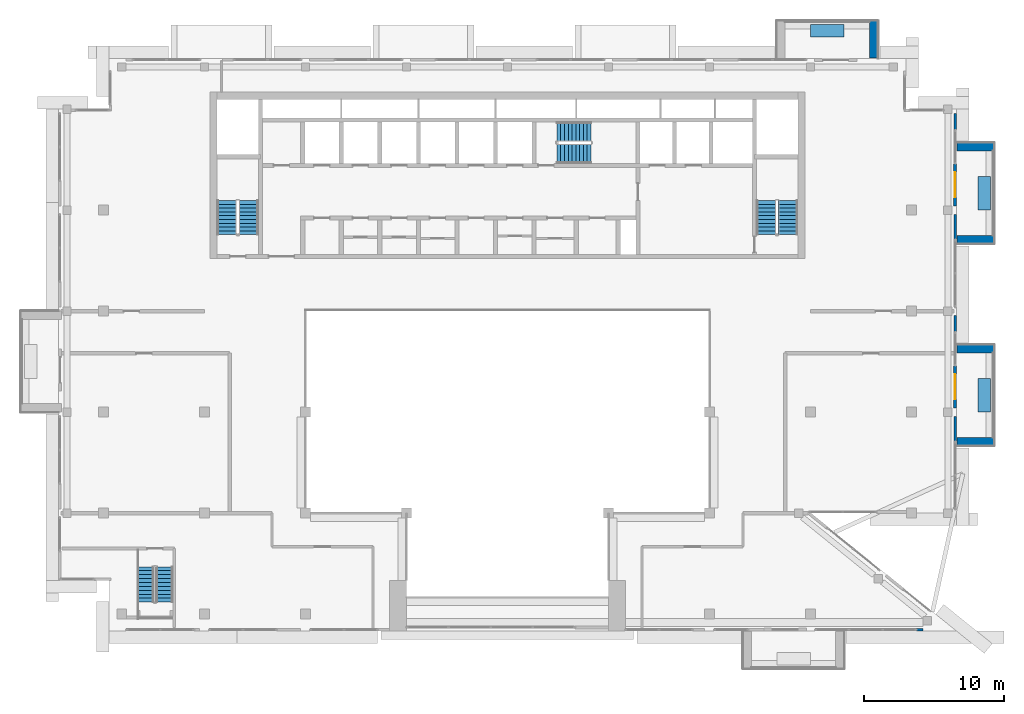
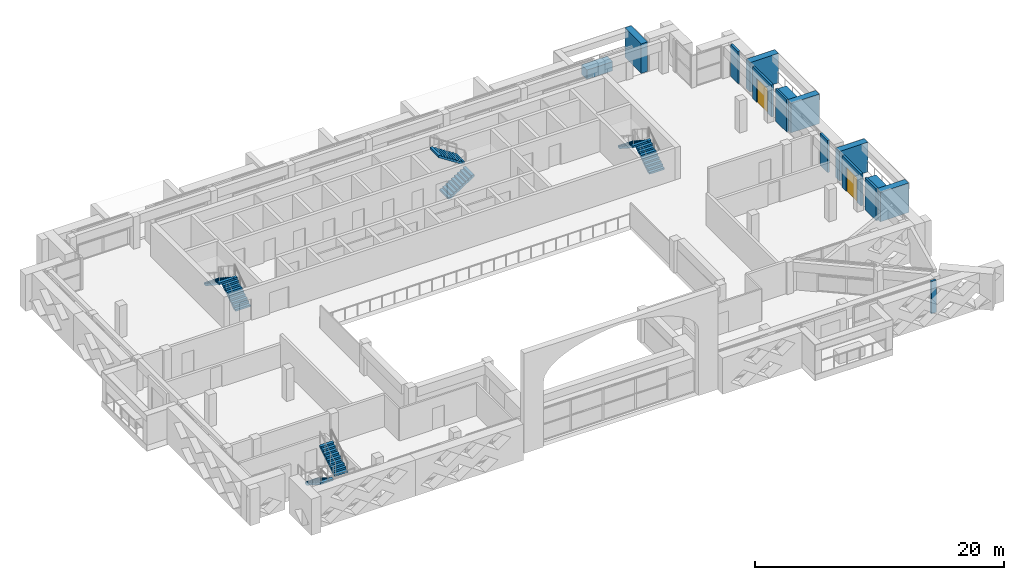
# One storey, part 15 of 22: 15 walls, 8 stair flights, 2 doors, 2 openings, 4 elements without a shape of their own.
"""IFC4 building model written with IfcOpenShell, lengths in metres."""

from ifc_helpers import new_model, si_unit, direction, frame, frame_2d, origin, place, context, subcontext, project, spatial, polyline, rectangle, outline, extrude, material, layer, layer_set, type_object, element, fill, aggregate, save


model = new_model("IFC4")

# Units and contexts
model_context = context("Model", 3, precision=1e-05, world=origin(), true_north=direction((0.0, 1.0)))
body_context = subcontext(model_context, "Body", "Model", "MODEL_VIEW")
ifc_project = project(units=[si_unit("LENGTHUNIT", "METRE"), si_unit("AREAUNIT", "SQUARE_METRE"), si_unit("VOLUMEUNIT", "CUBIC_METRE"), si_unit("PLANEANGLEUNIT", "RADIAN"), si_unit("MASSUNIT", "GRAM", prefix="KILO")], contexts=[model_context])

# Site, building, storey
site_placement = place(None, origin())
site = spatial("IfcSite", under=ifc_project, at=site_placement, CompositionType="ELEMENT")
building_placement = place(site_placement, origin())
building = spatial("IfcBuilding", under=site, at=building_placement, Name="Saffron Iwan Residences", CompositionType="ELEMENT")
storey_placement = place(building_placement, frame((0.0, 0.0, 271.0)))
storey = spatial("IfcBuildingStorey", under=building, at=storey_placement, Name="L73", CompositionType="ELEMENT", Elevation=271.0)

# Walls
ifc_material_1 = material(Name="Concrete C50/60 white painted", Category="concrete")
ifc_layer_1 = layer(ifc_material_1, 0.60009765625)
ifc_layer_set_1 = layer_set([ifc_layer_1], Name="Concrete C50/60 white painted")
wall_type_1 = type_object("IfcWallType", Name="BALCONY FIN 600", PredefinedType="SOLIDWALL", material=ifc_layer_set_1)
for number, where, z_axis, x_axis, name in (
    (1, (82.449951171875, 53.10009765625, 0.0), (0.0, 0.0, 1.0), (1.0, 0.0, 0.0), "Balcony fin L73 F2-0a"),
    (2, (82.449951171875, 59.699951171875, 0.0), (0.0, 0.0, 1.0), (1.0, 0.0, 0.0), "Balcony fin L73 F2-0b"),
    (3, (82.449951171875, 67.5, 0.0), (0.0, 0.0, 1.0), (1.0, 0.0, 0.0), "Balcony fin L73 F2-1a"),
    (4, (82.449951171875, 74.10009765625, 0.0), (0.0, 0.0, 1.0), (1.0, 0.0, 0.0), "Balcony fin L73 F2-1b"),
    (5, (76.5, 80.449951171875, 0.0), (0.0, 0.0, 1.0), (0.0, 1.0, 0.0), "Balcony fin L73 F5-0a"),
):
    element("IfcWall", number, at=place(storey_placement, frame(where, z_axis=z_axis, x_axis=x_axis)), inside=storey, type_object=wall_type_1, Name=name, PredefinedType="SOLIDWALL", context=body_context, shape_type="SweptSolid", body=[
        extrude(rectangle(XDim=2.650146484375, YDim=0.60009765625, at=frame_2d((1.3251953125, 0.0))), origin(), (0.0, 0.0, 1.0), 2.90087890625),
    ])
ifc_material_2 = material(Name="Concrete C35/45 white painted", Category="concrete")
ifc_layer_2 = layer(ifc_material_2, 0.14990234375)
ifc_layer_set_2 = layer_set([ifc_layer_2], Name="Concrete C35/45 white painted")
wall_type_2 = type_object("IfcWallType", Name="BALCONY PLANTER", PredefinedType="SOLIDWALL", material=ifc_layer_set_2)
wall_1_placement = place(storey_placement, frame((84.375, 55.199951171875, 0.0), z_axis=(0.0, 0.0, 1.0), x_axis=(0.0, 1.0, 0.0)))
element("IfcWall", 6, at=wall_1_placement, inside=storey, type_object=wall_type_2, Name="PLANTER L73 F2-0", PredefinedType="SOLIDWALL", context=body_context, shape_type="SweptSolid", body=[
    extrude(rectangle(XDim=2.400146484375, YDim=0.89990234375, at=frame_2d((1.2001953125, 0.0))), origin(), (0.0, 0.0, 1.0), 0.89990234375),
])
for number, where, z_axis, x_axis, name in (
    (7, (84.375, 69.60009765625, 0.0), (0.0, 0.0, 1.0), (0.0, 1.0, 0.0), "PLANTER L73 F2-1"),
    (8, (74.39990234375, 82.375, 0.0), (0.0, 0.0, 1.0), (-1.0, 0.0, 0.0), "PLANTER L73 F5-0"),
):
    element("IfcWall", number, at=place(storey_placement, frame(where, z_axis=z_axis, x_axis=x_axis)), inside=storey, type_object=wall_type_2, Name=name, PredefinedType="SOLIDWALL", context=body_context, shape_type="SweptSolid", body=[
        extrude(rectangle(XDim=2.39990234375, YDim=0.89990234375, at=frame_2d((1.199951171875, 0.0))), origin(), (0.0, 0.0, 1.0), 0.89990234375),
    ])

# Wall, opening, door
ifc_material_3 = material(Name="Concrete C40/50", Category="concrete")
ifc_layer_3 = layer(ifc_material_3, 0.199951171875)
ifc_layer_set_3 = layer_set([ifc_layer_3], Name="Concrete C40/50")
wall_type_3 = type_object("IfcWallType", Name="EXTERNAL WALL 200", PredefinedType="SOLIDWALL", material=ifc_layer_set_3)
wall_2_placement = place(storey_placement, frame((82.300048828125, 55.5, 0.0), z_axis=(0.0, 0.0, 1.0), x_axis=(0.0, 1.0, 0.0)))
wall_2 = element("IfcWall", 9, at=wall_2_placement, inside=storey, type_object=wall_type_3, Name="External wall L73 F2.D0", PredefinedType="SOLIDWALL", context=body_context, shape_type="SweptSolid", body=[
    extrude(rectangle(XDim=3.0, YDim=0.199951171875, at=frame_2d((1.5, 0.0))), origin(), (0.0, 0.0, 1.0), 3.14990234375),
])
opening_1_placement = place(wall_2_placement, frame((0.60009765625, 0.0, 0.0)))
opening_1 = element("IfcOpeningElement", 10, at=opening_1_placement, cuts=wall_2, Name="Opening BD1", PredefinedType="OPENING", context=body_context, shape_type="SweptSolid", body=[
    extrude(rectangle(XDim=1.800048828125, YDim=2.39990234375, at=frame_2d((0.89990234375, 1.199951171875))), frame((0.0, 0.10986328125, 0.0), z_axis=(0.0, -1.0, 0.0), x_axis=(1.0, 0.0, 0.0)), (0.0, 0.0, 1.0), 0.219970703125),
])
ifc_material_4 = material(Name="Clear glass, laminated double glazed", Category="glass")
door_type = type_object("IfcDoorType", Name="BALCONY DOOR 1800 x 2400", OperationType="DOUBLE_DOOR_SLIDING", PredefinedType="DOOR", material=ifc_material_4)
door_1_placement = place(opening_1_placement, origin())
door_1 = element("IfcDoor", 11, at=door_1_placement, inside=storey, type_object=door_type, Name="Terrace door L73 F2.0", OperationType="DOUBLE_DOOR_SLIDING", OverallHeight=2.39990234375, OverallWidth=1.800048828125, PredefinedType="DOOR", context=body_context, shape_type="SweptSolid", body=[
    extrude(rectangle(XDim=1.800048828125, YDim=2.39990234375, at=frame_2d((0.89990234375, 1.199951171875))), frame((0.0, 0.02490234375, 0.0), z_axis=(0.0, -1.0, 0.0), x_axis=(1.0, 0.0, 0.0)), (0.0, 0.0, 1.0), 0.050048828125),
])
fill(opening_1, door_1)

wall_3_placement = place(storey_placement, frame((82.300048828125, 69.89990234375, 0.0), z_axis=(0.0, 0.0, 1.0), x_axis=(0.0, 1.0, 0.0)))
wall_3 = element("IfcWall", 12, at=wall_3_placement, inside=storey, type_object=wall_type_3, Name="External wall L73 F2.D1", PredefinedType="SOLIDWALL", context=body_context, shape_type="SweptSolid", body=[
    extrude(rectangle(XDim=3.0, YDim=0.199951171875, at=frame_2d((1.5, 0.0))), origin(), (0.0, 0.0, 1.0), 3.14990234375),
])
opening_2_placement = place(wall_3_placement, frame((0.60009765625, 0.0, 0.0)))
opening_2 = element("IfcOpeningElement", 13, at=opening_2_placement, cuts=wall_3, Name="Opening BD1", PredefinedType="OPENING", context=body_context, shape_type="SweptSolid", body=[
    extrude(rectangle(XDim=1.800048828125, YDim=2.39990234375, at=frame_2d((0.89990234375, 1.199951171875))), frame((0.0, 0.10986328125, 0.0), z_axis=(0.0, -1.0, 0.0), x_axis=(1.0, 0.0, 0.0)), (0.0, 0.0, 1.0), 0.219970703125),
])
door_2_placement = place(opening_2_placement, origin())
door_2 = element("IfcDoor", 14, at=door_2_placement, inside=storey, type_object=door_type, Name="Terrace door L73 F2.1", OperationType="DOUBLE_DOOR_SLIDING", OverallHeight=2.39990234375, OverallWidth=1.800048828125, PredefinedType="DOOR", context=body_context, shape_type="SweptSolid", body=[
    extrude(rectangle(XDim=1.800048828125, YDim=2.39990234375, at=frame_2d((0.89990234375, 1.199951171875))), frame((0.0, 0.02490234375, 0.0), z_axis=(0.0, -1.0, 0.0), x_axis=(1.0, 0.0, 0.0)), (0.0, 0.0, 1.0), 0.050048828125),
])
fill(opening_2, door_2)

# Walls
wall_4_placement = place(storey_placement, frame((82.320068359375, 53.10009765625, 0.0), z_axis=(0.0, 0.0, 1.0), x_axis=(0.0, 1.0, 0.0)))
element("IfcWall", 15, at=wall_4_placement, inside=storey, type_object=wall_type_3, Name="External wall infill CWE-L73-F2-0", PredefinedType="SOLIDWALL", context=body_context, shape_type="SweptSolid", body=[
    extrude(rectangle(XDim=1.7998046875, YDim=0.199951171875, at=frame_2d((0.89990234375, 0.0))), origin(), (0.0, 0.0, 1.0), 3.14990234375),
])
wall_5_placement = place(storey_placement, frame((82.320068359375, 60.89990234375, 0.0), z_axis=(0.0, 0.0, 1.0), x_axis=(0.0, 1.0, 0.0)))
element("IfcWall", 16, at=wall_5_placement, inside=storey, type_object=wall_type_3, Name="External wall infill CWE-L73-F2-1", PredefinedType="SOLIDWALL", context=body_context, shape_type="SweptSolid", body=[
    extrude(rectangle(XDim=1.2001953125, YDim=0.199951171875, at=frame_2d((0.60009765625, 0.0))), origin(), (0.0, 0.0, 1.0), 3.14990234375),
])
wall_6_placement = place(storey_placement, frame((82.320068359375, 67.5, 0.0), z_axis=(0.0, 0.0, 1.0), x_axis=(0.0, 1.0, 0.0)))
element("IfcWall", 17, at=wall_6_placement, inside=storey, type_object=wall_type_3, Name="External wall infill CWE-L73-F2-2", PredefinedType="SOLIDWALL", context=body_context, shape_type="SweptSolid", body=[
    extrude(rectangle(XDim=1.800048828125, YDim=0.199951171875, at=frame_2d((0.89990234375, 0.0))), origin(), (0.0, 0.0, 1.0), 3.14990234375),
])
wall_7_placement = place(storey_placement, frame((82.320068359375, 75.300048828125, 0.0), z_axis=(0.0, 0.0, 1.0), x_axis=(0.0, 1.0, 0.0)))
element("IfcWall", 18, at=wall_7_placement, inside=storey, type_object=wall_type_3, Name="External wall infill CWE-L73-F2-3", PredefinedType="SOLIDWALL", context=body_context, shape_type="SweptSolid", body=[
    extrude(rectangle(XDim=1.199951171875, YDim=0.199951171875, at=frame_2d((0.60009765625, 0.0))), origin(), (0.0, 0.0, 1.0), 3.14990234375),
])
wall_8_placement = place(storey_placement, frame((79.550048828125, 39.679931640625, 0.0), z_axis=(0.0, 0.0, 1.0), x_axis=(1.0, 0.0, 0.0)))
element("IfcWall", 19, at=wall_8_placement, inside=storey, type_object=wall_type_3, Name="External wall infill CWE-L73-F11-5", PredefinedType="SOLIDWALL", context=body_context, shape_type="SweptSolid", body=[
    extrude(rectangle(XDim=0.4755859375, YDim=0.199951171875, at=frame_2d((0.23779296875, 0.0))), origin(), (0.0, 0.0, 1.0), 3.14990234375),
])

# Stair, stair flights
stair_type_1 = type_object("IfcStairType", Name="Podium stair, reinforced concrete", PredefinedType="HALF_TURN_STAIR", material=ifc_material_3)
stair_1_placement = place(storey_placement, origin())
stair_1 = element("IfcStair", 20, at=stair_1_placement, inside=storey, type_object=stair_type_1, Name="L73 Crown Stair", PredefinedType="HALF_TURN_STAIR")
stair_flight_type_1 = type_object("IfcStairFlightType", Name="Podium stair flight, reinforced concrete", PredefinedType="STRAIGHT", material=ifc_material_3)
stair_flight_1_placement = place(storey_placement, frame((24.60009765625, 44.169921875, 0.0), z_axis=(0.0, 0.0, 1.0), x_axis=(0.0, -1.0, 0.0)))
stair_flight_1 = element("IfcStairFlight", 21, at=stair_flight_1_placement, type_object=stair_flight_type_1, Name="CS flight 1", NumberOfRisers=10, NumberOfTreads=9, PredefinedType="STRAIGHT", RiserHeight=0.175, TreadLength=0.28, context=body_context, shape_type="SweptSolid", body=[
    extrude(outline(polyline([(0.0, 0.0), (0.0, 0.175048828125), (0.280029296875, 0.175048828125), (0.280029296875, 0.35009765625), (0.56005859375, 0.35009765625), (0.56005859375, 0.52490234375), (0.840087890625, 0.52490234375), (0.840087890625, 0.699951171875), (1.1201171875, 0.699951171875), (1.1201171875, 0.875), (1.39990234375, 0.875), (1.39990234375, 1.050048828125), (1.679931640625, 1.050048828125), (1.679931640625, 1.22509765625), (1.9599609375, 1.22509765625), (1.9599609375, 1.39990234375), (2.239990234375, 1.39990234375), (2.239990234375, 1.574951171875), (2.52001953125, 1.574951171875), (2.52001953125, 1.75), (2.52001953125, 1.398193359375), (0.28271484375, 0.0), (0.0, 0.0)])), frame((0.0, 0.60009765625, 0.0), z_axis=(0.0, -1.0, 0.0), x_axis=(1.0, 0.0, 0.0)), (0.0, 0.0, 1.0), 1.199951171875),
])
stair_flight_2_placement = place(storey_placement, frame((25.949951171875, 41.64990234375, 1.75), z_axis=(0.0, 0.0, 1.0), x_axis=(0.0, 1.0, 0.0)))
stair_flight_2 = element("IfcStairFlight", 22, at=stair_flight_2_placement, type_object=stair_flight_type_1, Name="CS flight 2", NumberOfRisers=10, NumberOfTreads=9, PredefinedType="STRAIGHT", RiserHeight=0.175, TreadLength=0.28, context=body_context, shape_type="SweptSolid", body=[
    extrude(outline(polyline([(0.0, 0.0), (0.0, 0.175048828125), (0.280029296875, 0.175048828125), (0.280029296875, 0.35009765625), (0.56005859375, 0.35009765625), (0.56005859375, 0.52490234375), (0.840087890625, 0.52490234375), (0.840087890625, 0.699951171875), (1.1201171875, 0.699951171875), (1.1201171875, 0.875), (1.39990234375, 0.875), (1.39990234375, 1.050048828125), (1.679931640625, 1.050048828125), (1.679931640625, 1.22509765625), (1.9599609375, 1.22509765625), (1.9599609375, 1.39990234375), (2.239990234375, 1.39990234375), (2.239990234375, 1.574951171875), (2.52001953125, 1.574951171875), (2.52001953125, 1.75), (2.52001953125, 1.398193359375), (0.28271484375, 0.0), (0.0, 0.0)])), frame((0.0, 0.60009765625, 0.0), z_axis=(0.0, -1.0, 0.0), x_axis=(1.0, 0.0, 0.0)), (0.0, 0.0, 1.0), 1.199951171875),
])
aggregate(stair_1, [stair_flight_1, stair_flight_2])

ifc_material_5 = material(Name="Concrete C50/60", Category="concrete")
stair_type_2 = type_object("IfcStairType", Name="Stair ST-CORE", PredefinedType="HALF_TURN_STAIR", material=ifc_material_5)
stair_2_placement = place(storey_placement, origin())
stair_2 = element("IfcStair", 23, at=stair_2_placement, inside=storey, type_object=stair_type_2, Name="L73 Exit Stair ST-W", PredefinedType="HALF_TURN_STAIR")
ifc_layer_4 = layer(ifc_material_5, 0.14990234375)
ifc_layer_set_4 = layer_set([ifc_layer_4], Name="Concrete C50/60")
stair_flight_type_2 = type_object("IfcStairFlightType", Name="Stair flight SFL-RC", PredefinedType="STRAIGHT", material=ifc_layer_set_4)
stair_flight_3_placement = place(storey_placement, frame((31.949951171875, 67.85009765625, 0.0), z_axis=(0.0, 0.0, 1.0), x_axis=(0.0, 1.0, 0.0)))
stair_flight_3 = element("IfcStairFlight", 24, at=stair_flight_3_placement, type_object=stair_flight_type_2, Name="ST-W flight 1", NumberOfRisers=10, NumberOfTreads=9, PredefinedType="STRAIGHT", RiserHeight=0.175, TreadLength=0.27, context=body_context, shape_type="SweptSolid", body=[
    extrude(outline(polyline([(0.0, 0.0), (0.0, 0.175048828125), (0.27001953125, 0.175048828125), (0.27001953125, 0.35009765625), (0.5400390625, 0.35009765625), (0.5400390625, 0.52490234375), (0.81005859375, 0.52490234375), (0.81005859375, 0.699951171875), (1.080078125, 0.699951171875), (1.080078125, 0.875), (1.35009765625, 0.875), (1.35009765625, 1.050048828125), (1.6201171875, 1.050048828125), (1.6201171875, 1.22509765625), (1.889892578125, 1.22509765625), (1.889892578125, 1.39990234375), (2.159912109375, 1.39990234375), (2.159912109375, 1.574951171875), (2.429931640625, 1.574951171875), (2.429931640625, 1.75), (2.429931640625, 1.396484375), (0.275634765625, 0.0), (0.0, 0.0)])), frame((0.0, 0.699951171875, 0.0), z_axis=(0.0, -1.0, 0.0), x_axis=(1.0, 0.0, 0.0)), (0.0, 0.0, 1.0), 1.39990234375),
])
stair_flight_4_placement = place(storey_placement, frame((30.39990234375, 70.280029296875, 1.75), z_axis=(0.0, 0.0, 1.0), x_axis=(0.0, -1.0, 0.0)))
stair_flight_4 = element("IfcStairFlight", 25, at=stair_flight_4_placement, type_object=stair_flight_type_2, Name="ST-W flight 2", NumberOfRisers=10, NumberOfTreads=9, PredefinedType="STRAIGHT", RiserHeight=0.175, TreadLength=0.27, context=body_context, shape_type="SweptSolid", body=[
    extrude(outline(polyline([(0.0, 0.0), (0.0, 0.175048828125), (0.27001953125, 0.175048828125), (0.27001953125, 0.35009765625), (0.5400390625, 0.35009765625), (0.5400390625, 0.52490234375), (0.81005859375, 0.52490234375), (0.81005859375, 0.699951171875), (1.080078125, 0.699951171875), (1.080078125, 0.875), (1.35009765625, 0.875), (1.35009765625, 1.050048828125), (1.6201171875, 1.050048828125), (1.6201171875, 1.22509765625), (1.889892578125, 1.22509765625), (1.889892578125, 1.39990234375), (2.159912109375, 1.39990234375), (2.159912109375, 1.574951171875), (2.429931640625, 1.574951171875), (2.429931640625, 1.75), (2.429931640625, 1.396484375), (0.275634765625, 0.0), (0.0, 0.0)])), frame((0.0, 0.699951171875, 0.0), z_axis=(0.0, -1.0, 0.0), x_axis=(1.0, 0.0, 0.0)), (0.0, 0.0, 1.0), 1.39990234375),
])
aggregate(stair_2, [stair_flight_3, stair_flight_4])

stair_3_placement = place(storey_placement, origin())
stair_3 = element("IfcStair", 26, at=stair_3_placement, inside=storey, type_object=stair_type_2, Name="L73 Exit Stair ST-C", PredefinedType="HALF_TURN_STAIR")
stair_flight_5_placement = place(storey_placement, frame((53.925048828125, 73.625, 0.0), z_axis=(0.0, 0.0, 1.0), x_axis=(1.0, 0.0, 0.0)))
stair_flight_5 = element("IfcStairFlight", 27, at=stair_flight_5_placement, type_object=stair_flight_type_2, Name="ST-C flight 1", NumberOfRisers=10, NumberOfTreads=9, PredefinedType="STRAIGHT", RiserHeight=0.175, TreadLength=0.27, context=body_context, shape_type="SweptSolid", body=[
    extrude(outline(polyline([(0.0, 0.0), (0.0, 0.175048828125), (0.27001953125, 0.175048828125), (0.27001953125, 0.35009765625), (0.5400390625, 0.35009765625), (0.5400390625, 0.52490234375), (0.81005859375, 0.52490234375), (0.81005859375, 0.699951171875), (1.080078125, 0.699951171875), (1.080078125, 0.875), (1.35009765625, 0.875), (1.35009765625, 1.050048828125), (1.6201171875, 1.050048828125), (1.6201171875, 1.22509765625), (1.889892578125, 1.22509765625), (1.889892578125, 1.39990234375), (2.159912109375, 1.39990234375), (2.159912109375, 1.574951171875), (2.429931640625, 1.574951171875), (2.429931640625, 1.75), (2.429931640625, 1.396484375), (0.275634765625, 0.0), (0.0, 0.0)])), frame((0.0, 0.699951171875, 0.0), z_axis=(0.0, -1.0, 0.0), x_axis=(1.0, 0.0, 0.0)), (0.0, 0.0, 1.0), 1.39990234375),
])
stair_flight_6_placement = place(storey_placement, frame((56.35498046875, 75.175048828125, 1.75), z_axis=(0.0, 0.0, 1.0), x_axis=(-1.0, 0.0, 0.0)))
stair_flight_6 = element("IfcStairFlight", 28, at=stair_flight_6_placement, type_object=stair_flight_type_2, Name="ST-C flight 2", NumberOfRisers=10, NumberOfTreads=9, PredefinedType="STRAIGHT", RiserHeight=0.175, TreadLength=0.27, context=body_context, shape_type="SweptSolid", body=[
    extrude(outline(polyline([(0.0, 0.0), (0.0, 0.175048828125), (0.27001953125, 0.175048828125), (0.27001953125, 0.35009765625), (0.5400390625, 0.35009765625), (0.5400390625, 0.52490234375), (0.81005859375, 0.52490234375), (0.81005859375, 0.699951171875), (1.080078125, 0.699951171875), (1.080078125, 0.875), (1.35009765625, 0.875), (1.35009765625, 1.050048828125), (1.6201171875, 1.050048828125), (1.6201171875, 1.22509765625), (1.889892578125, 1.22509765625), (1.889892578125, 1.39990234375), (2.159912109375, 1.39990234375), (2.159912109375, 1.574951171875), (2.429931640625, 1.574951171875), (2.429931640625, 1.75), (2.429931640625, 1.396484375), (0.275634765625, 0.0), (0.0, 0.0)])), frame((0.0, 0.699951171875, 0.0), z_axis=(0.0, -1.0, 0.0), x_axis=(1.0, 0.0, 0.0)), (0.0, 0.0, 1.0), 1.39990234375),
])
aggregate(stair_3, [stair_flight_5, stair_flight_6])

stair_4_placement = place(storey_placement, origin())
stair_4 = element("IfcStair", 29, at=stair_4_placement, inside=storey, type_object=stair_type_2, Name="L73 Exit Stair ST-E", PredefinedType="HALF_TURN_STAIR")
stair_flight_7_placement = place(storey_placement, frame((70.39990234375, 67.85009765625, 0.0), z_axis=(0.0, 0.0, 1.0), x_axis=(0.0, 1.0, 0.0)))
stair_flight_7 = element("IfcStairFlight", 30, at=stair_flight_7_placement, type_object=stair_flight_type_2, Name="ST-E flight 1", NumberOfRisers=10, NumberOfTreads=9, PredefinedType="STRAIGHT", RiserHeight=0.175, TreadLength=0.27, context=body_context, shape_type="SweptSolid", body=[
    extrude(outline(polyline([(0.0, 0.0), (0.0, 0.175048828125), (0.27001953125, 0.175048828125), (0.27001953125, 0.35009765625), (0.5400390625, 0.35009765625), (0.5400390625, 0.52490234375), (0.81005859375, 0.52490234375), (0.81005859375, 0.699951171875), (1.080078125, 0.699951171875), (1.080078125, 0.875), (1.35009765625, 0.875), (1.35009765625, 1.050048828125), (1.6201171875, 1.050048828125), (1.6201171875, 1.22509765625), (1.889892578125, 1.22509765625), (1.889892578125, 1.39990234375), (2.159912109375, 1.39990234375), (2.159912109375, 1.574951171875), (2.429931640625, 1.574951171875), (2.429931640625, 1.75), (2.429931640625, 1.396484375), (0.275634765625, 0.0), (0.0, 0.0)])), frame((0.0, 0.699951171875, 0.0), z_axis=(0.0, -1.0, 0.0), x_axis=(1.0, 0.0, 0.0)), (0.0, 0.0, 1.0), 1.39990234375),
])
stair_flight_8_placement = place(storey_placement, frame((68.85009765625, 70.280029296875, 1.75), z_axis=(0.0, 0.0, 1.0), x_axis=(0.0, -1.0, 0.0)))
stair_flight_8 = element("IfcStairFlight", 31, at=stair_flight_8_placement, type_object=stair_flight_type_2, Name="ST-E flight 2", NumberOfRisers=10, NumberOfTreads=9, PredefinedType="STRAIGHT", RiserHeight=0.175, TreadLength=0.27, context=body_context, shape_type="SweptSolid", body=[
    extrude(outline(polyline([(0.0, 0.0), (0.0, 0.175048828125), (0.27001953125, 0.175048828125), (0.27001953125, 0.35009765625), (0.5400390625, 0.35009765625), (0.5400390625, 0.52490234375), (0.81005859375, 0.52490234375), (0.81005859375, 0.699951171875), (1.080078125, 0.699951171875), (1.080078125, 0.875), (1.35009765625, 0.875), (1.35009765625, 1.050048828125), (1.6201171875, 1.050048828125), (1.6201171875, 1.22509765625), (1.889892578125, 1.22509765625), (1.889892578125, 1.39990234375), (2.159912109375, 1.39990234375), (2.159912109375, 1.574951171875), (2.429931640625, 1.574951171875), (2.429931640625, 1.75), (2.429931640625, 1.396484375), (0.275634765625, 0.0), (0.0, 0.0)])), frame((0.0, 0.699951171875, 0.0), z_axis=(0.0, -1.0, 0.0), x_axis=(1.0, 0.0, 0.0)), (0.0, 0.0, 1.0), 1.39990234375),
])
aggregate(stair_4, [stair_flight_7, stair_flight_8])

save(model, "model.ifc")
